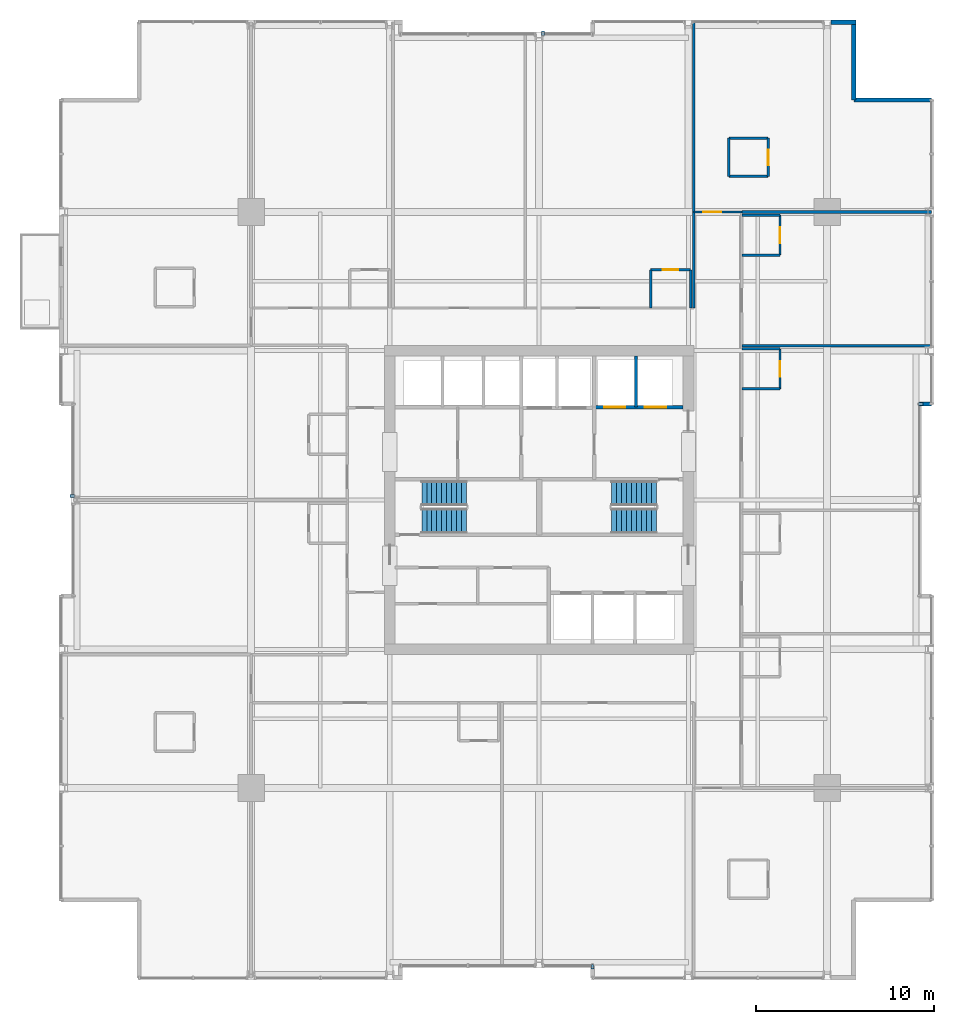
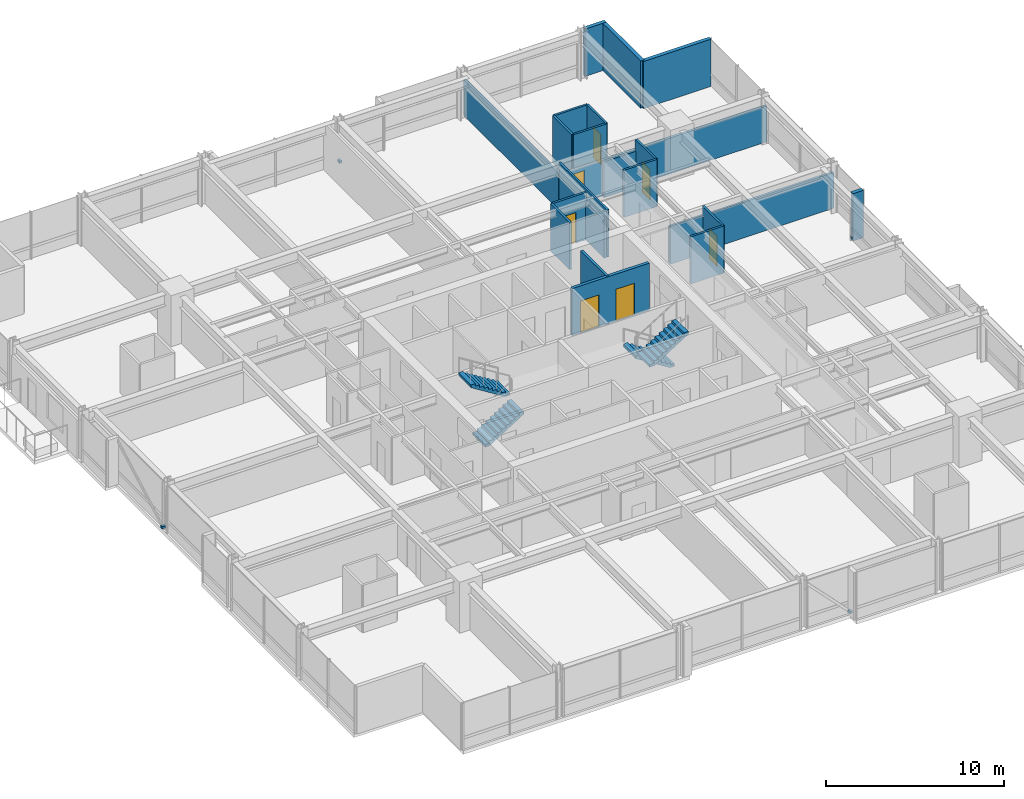
# One storey, part 31 of 34: 24 walls, 7 doors, 4 discrete accessories, 4 stair flights, 7 openings, 2 elements without a shape of their own.
"""IFC4 building model written with IfcOpenShell, lengths in metres."""

from ifc_helpers import new_model, si_unit, direction, frame, frame_2d, origin, origin_2d, place, context, subcontext, project, spatial, polyline, rectangle, outline, extrude, material, layer, layer_set, type_object, element, fill, aggregate, save


model = new_model("IFC4")

# Units and contexts
model_context = context("Model", 3, precision=1e-05, world=origin(), true_north=direction((0.0, 1.0)))
body_context = subcontext(model_context, "Body", "Model", "MODEL_VIEW")
ifc_project = project(units=[si_unit("LENGTHUNIT", "METRE"), si_unit("AREAUNIT", "SQUARE_METRE"), si_unit("VOLUMEUNIT", "CUBIC_METRE"), si_unit("PLANEANGLEUNIT", "RADIAN"), si_unit("MASSUNIT", "GRAM", prefix="KILO")], contexts=[model_context])

# Site, building, storey
site_placement = place(None, origin())
site = spatial("IfcSite", under=ifc_project, at=site_placement, CompositionType="ELEMENT")
building_placement = place(site_placement, origin())
building = spatial("IfcBuilding", under=site, at=building_placement, Name="Drelvath Grand Hotel", CompositionType="ELEMENT")
storey_placement = place(building_placement, frame((0.0, 0.0, 102.300048828125)))
storey = spatial("IfcBuildingStorey", under=building, at=storey_placement, Name="L25", CompositionType="ELEMENT", Elevation=102.300048828125)

# Wall, openings, doors
ifc_material_1 = material(Name="Concrete C40/50", Category="concrete")
ifc_layer_1 = layer(ifc_material_1, 0.199951171875)
ifc_layer_set_1 = layer_set([ifc_layer_1], Name="Concrete C40/50")
wall_type_1 = type_object("IfcWallType", Name="Core Hoistway Fire Wall 200", PredefinedType="SOLIDWALL", material=ifc_layer_set_1)
wall_1_placement = place(storey_placement, frame((3.10009765625, 32.219970703125, 0.0), z_axis=(0.0, 0.0, 1.0), x_axis=(1.0, 0.0, 0.0)))
wall_1 = element("IfcWall", 1, at=wall_1_placement, inside=storey, type_object=wall_type_1, Name="L25 FSAE Hoistway Front Wall", PredefinedType="SOLIDWALL", context=body_context, shape_type="SweptSolid", body=[
    extrude(rectangle(XDim=5.0, YDim=0.199951171875, at=frame_2d((2.5, 0.0))), origin(), (0.0, 0.0, 1.0), 3.239990234375),
])
opening_1_placement = place(wall_1_placement, frame((0.550048828125, 0.0, 0.0)))
opening_1 = element("IfcOpeningElement", 2, at=opening_1_placement, cuts=wall_1, Name="Opening LD-FSAE-1", PredefinedType="OPENING", context=body_context, shape_type="SweptSolid", body=[
    extrude(rectangle(XDim=1.199951171875, YDim=2.199951171875, at=frame_2d((0.60009765625, 1.10009765625))), frame((0.0, 0.10986328125, 0.0), z_axis=(0.0, -1.0, 0.0), x_axis=(1.0, 0.0, 0.0)), (0.0, 0.0, 1.0), 0.219970703125),
])
opening_2_placement = place(wall_1_placement, frame((2.85009765625, 0.0, 0.0)))
opening_2 = element("IfcOpeningElement", 3, at=opening_2_placement, cuts=wall_1, Name="Opening LD-FSAE-2", PredefinedType="OPENING", context=body_context, shape_type="SweptSolid", body=[
    extrude(rectangle(XDim=1.199951171875, YDim=2.199951171875, at=frame_2d((0.60009765625, 1.10009765625))), frame((0.0, 0.10986328125, 0.0), z_axis=(0.0, -1.0, 0.0), x_axis=(1.0, 0.0, 0.0)), (0.0, 0.0, 1.0), 0.219970703125),
])
ifc_material_2 = material(Name="Stainless Steel S355", Category="steel")
door_type_1 = type_object("IfcDoorType", Name="FSAE Lift Sliding Landing Door 1200x2200", OperationType="NOTDEFINED", PredefinedType="DOOR", material=ifc_material_2)
door_1_placement = place(opening_1_placement, origin())
door_1 = element("IfcDoor", 4, at=door_1_placement, inside=storey, type_object=door_type_1, Name="L25 Lift FSAE-1 Landing Door", OperationType="SLIDING_TO_LEFT", OverallHeight=2.199951171875, OverallWidth=1.199951171875, PredefinedType="DOOR", context=body_context, shape_type="SweptSolid", body=[
    extrude(rectangle(XDim=1.199951171875, YDim=2.199951171875, at=frame_2d((0.60009765625, 1.10009765625))), frame((0.0, 0.02490234375, 0.0), z_axis=(0.0, -1.0, 0.0), x_axis=(1.0, 0.0, 0.0)), (0.0, 0.0, 1.0), 0.050048828125),
])
fill(opening_1, door_1)
door_2_placement = place(opening_2_placement, origin())
door_2 = element("IfcDoor", 5, at=door_2_placement, inside=storey, type_object=door_type_1, Name="L25 Lift FSAE-2 Landing Door", OperationType="SLIDING_TO_LEFT", OverallHeight=2.199951171875, OverallWidth=1.199951171875, PredefinedType="DOOR", context=body_context, shape_type="SweptSolid", body=[
    extrude(rectangle(XDim=1.199951171875, YDim=2.199951171875, at=frame_2d((0.60009765625, 1.10009765625))), frame((0.0, 0.02490234375, 0.0), z_axis=(0.0, -1.0, 0.0), x_axis=(1.0, 0.0, 0.0)), (0.0, 0.0, 1.0), 0.050048828125),
])
fill(opening_2, door_2)

# Walls
ifc_material_3 = material(Name="Gypsum Fireboard Partition")
ifc_layer_2 = layer(ifc_material_3, 0.1650390625)
ifc_layer_set_2 = layer_set([ifc_layer_2], Name="Gypsum Fireboard Partition")
wall_type_2 = type_object("IfcWallType", Name="Core Shaft Partition 165", PredefinedType="PARTITIONING", material=ifc_layer_set_2)
wall_2_placement = place(storey_placement, frame((5.449951171875, 32.219970703125, 0.0), z_axis=(0.0, 0.0, 1.0), x_axis=(0.0, 1.0, 0.0)))
element("IfcWall", 6, at=wall_2_placement, inside=storey, type_object=wall_type_2, Name="L25 FSAE Hoistway Divider", PredefinedType="PARTITIONING", context=body_context, shape_type="SweptSolid", body=[
    extrude(rectangle(XDim=2.880126953125, YDim=0.1650390625, at=frame_2d((1.43994140625, 0.0))), origin(), (0.0, 0.0, 1.0), 3.239990234375),
])
ifc_layer_3 = layer(ifc_material_3, 0.135009765625)
ifc_layer_set_3 = layer_set([ifc_layer_3], Name="Gypsum Fireboard Partition")
wall_type_3 = type_object("IfcWallType", Name="Corridor Fire Barrier Wall 135", PredefinedType="PARTITIONING", material=ifc_layer_set_3)
wall_3_placement = place(storey_placement, frame((8.699951171875, 37.800048828125, 0.0), z_axis=(0.0, 0.0, 1.0), x_axis=(0.0, 1.0, 0.0)))
element("IfcWall", 7, at=wall_3_placement, inside=storey, type_object=wall_type_3, Name="L25 East Spine North Inner Wall", PredefinedType="PARTITIONING", context=body_context, shape_type="SweptSolid", body=[
    extrude(rectangle(XDim=5.39990234375, YDim=0.135009765625, at=frame_2d((2.699951171875, 0.0))), origin(), (0.0, 0.0, 1.0), 3.239990234375),
])

# Wall, opening, door
wall_4_placement = place(storey_placement, frame((8.699951171875, 43.199951171875, 0.0), z_axis=(0.0, 0.0, 1.0), x_axis=(1.0, 0.0, 0.0)))
wall_4 = element("IfcWall", 8, at=wall_4_placement, inside=storey, type_object=wall_type_3, Name="L25 East Spine North End", PredefinedType="PARTITIONING", context=body_context, shape_type="SweptSolid", body=[
    extrude(rectangle(XDim=2.699951171875, YDim=0.135009765625, at=frame_2d((1.35009765625, 0.0))), origin(), (0.0, 0.0, 1.0), 2.45166015625),
])
opening_3_placement = place(wall_4_placement, frame((0.52001953125, 0.0, 0.0)))
opening_3 = element("IfcOpeningElement", 9, at=opening_3_placement, cuts=wall_4, Name="Opening D-T2G2-028", PredefinedType="OPENING", context=body_context, shape_type="SweptSolid", body=[
    extrude(rectangle(XDim=1.02001953125, YDim=2.14990234375, at=frame_2d((0.510009765625, 1.074951171875))), frame((0.0, 0.077392578125, 0.0), z_axis=(0.0, -1.0, 0.0), x_axis=(1.0, 0.0, 0.0)), (0.0, 0.0, 1.0), 0.155029296875),
])
ifc_material_4 = material(Name="Hardwood Walnut Timber", Category="wood")
door_type_2 = type_object("IfcDoorType", Name="Amenity Meeting Fire Door 1020x2150", OperationType="NOTDEFINED", PredefinedType="DOOR", material=ifc_material_4)
door_3_placement = place(opening_3_placement, origin())
door_3 = element("IfcDoor", 10, at=door_3_placement, inside=storey, type_object=door_type_2, Name="L25 Corner Suite Entry Door", OperationType="SINGLE_SWING_LEFT", OverallHeight=2.14990234375, OverallWidth=1.02001953125, PredefinedType="DOOR", context=body_context, shape_type="SweptSolid", body=[
    extrude(rectangle(XDim=1.02001953125, YDim=2.14990234375, at=frame_2d((0.510009765625, 1.074951171875))), frame((0.0, 0.02490234375, 0.0), z_axis=(0.0, -1.0, 0.0), x_axis=(1.0, 0.0, 0.0)), (0.0, 0.0, 1.0), 0.050048828125),
])
fill(opening_3, door_3)

# Walls
ifc_material_5 = material(Name="Moisture-Resistant Gypsum Board")
ifc_layer_4 = layer(ifc_material_5, 0.139892578125)
ifc_layer_set_4 = layer_set([ifc_layer_4], Name="Moisture-Resistant Gypsum Board")
wall_type_4 = type_object("IfcWallType", Name="En-Suite Plumbing Wall 140", PredefinedType="PLUMBINGWALL", material=ifc_layer_set_4)
for number, where, z_axis, x_axis, name in (
    (11, (10.679931640625, 45.199951171875, 0.0), (0.0, 0.0, 1.0), (1.0, 0.0, 0.0), "L25 Corner En-Suite South"),
    (12, (10.679931640625, 47.35009765625, 0.0), (0.0, 0.0, 1.0), (1.0, 0.0, 0.0), "L25 Corner En-Suite North"),
):
    element("IfcWall", number, at=place(storey_placement, frame(where, z_axis=z_axis, x_axis=x_axis)), inside=storey, type_object=wall_type_4, Name=name, PredefinedType="PLUMBINGWALL", context=body_context, shape_type="SweptSolid", body=[
        extrude(rectangle(XDim=2.199951171875, YDim=0.139892578125, at=frame_2d((1.10009765625, 0.0))), origin(), (0.0, 0.0, 1.0), 3.239990234375),
    ])
wall_5_placement = place(storey_placement, frame((10.679931640625, 45.199951171875, 0.0), z_axis=(0.0, 0.0, 1.0), x_axis=(0.0, 1.0, 0.0)))
element("IfcWall", 13, at=wall_5_placement, inside=storey, type_object=wall_type_4, Name="L25 Corner En-Suite West", PredefinedType="PLUMBINGWALL", context=body_context, shape_type="SweptSolid", body=[
    extrude(rectangle(XDim=2.150146484375, YDim=0.139892578125, at=frame_2d((1.0751953125, 0.0))), origin(), (0.0, 0.0, 1.0), 3.239990234375),
])

# Wall, opening, door
wall_6_placement = place(storey_placement, frame((12.8798828125, 45.199951171875, 0.0), z_axis=(0.0, 0.0, 1.0), x_axis=(0.0, 1.0, 0.0)))
wall_6 = element("IfcWall", 14, at=wall_6_placement, inside=storey, type_object=wall_type_4, Name="L25 Corner En-Suite East", PredefinedType="PLUMBINGWALL", context=body_context, shape_type="SweptSolid", body=[
    extrude(rectangle(XDim=2.150146484375, YDim=0.139892578125, at=frame_2d((1.0751953125, 0.0))), origin(), (0.0, 0.0, 1.0), 3.239990234375),
])
opening_4_placement = place(wall_6_placement, frame((0.6201171875, 0.0, 0.0)))
opening_4 = element("IfcOpeningElement", 15, at=opening_4_placement, cuts=wall_6, Name="Opening D-T2G2-027", PredefinedType="OPENING", context=body_context, shape_type="SweptSolid", body=[
    extrude(rectangle(XDim=0.8798828125, YDim=2.10009765625, at=frame_2d((0.43994140625, 1.050048828125))), frame((0.0, 0.079833984375, 0.0), z_axis=(0.0, -1.0, 0.0), x_axis=(1.0, 0.0, 0.0)), (0.0, 0.0, 1.0), 0.159912109375),
])
door_type_3 = type_object("IfcDoorType", Name="En-Suite Bathroom Door 880x2100", OperationType="NOTDEFINED", PredefinedType="DOOR", material=ifc_material_4)
door_4_placement = place(opening_4_placement, origin())
door_4 = element("IfcDoor", 16, at=door_4_placement, inside=storey, type_object=door_type_3, Name="L25 Corner En-Suite Door", OperationType="SINGLE_SWING_RIGHT", OverallHeight=2.10009765625, OverallWidth=0.8798828125, PredefinedType="DOOR", context=body_context, shape_type="SweptSolid", body=[
    extrude(rectangle(XDim=0.8798828125, YDim=2.10009765625, at=frame_2d((0.43994140625, 1.050048828125))), frame((0.0, 0.02490234375, 0.0), z_axis=(0.0, -1.0, 0.0), x_axis=(1.0, 0.0, 0.0)), (0.0, 0.0, 1.0), 0.050048828125),
])
fill(opening_4, door_4)

# Walls
wall_7_placement = place(storey_placement, frame((6.27001953125, 37.800048828125, 0.0), z_axis=(0.0, 0.0, 1.0), x_axis=(0.0, 1.0, 0.0)))
element("IfcWall", 17, at=wall_7_placement, inside=storey, type_object=wall_type_4, Name="L25 En-Suite Left Wall", PredefinedType="PLUMBINGWALL", context=body_context, shape_type="SweptSolid", body=[
    extrude(rectangle(XDim=2.14990234375, YDim=0.139892578125, at=frame_2d((1.074951171875, 0.0))), origin(), (0.0, 0.0, 1.0), 3.239990234375),
])
wall_8_placement = place(storey_placement, frame((8.52001953125, 37.800048828125, 0.0), z_axis=(0.0, 0.0, 1.0), x_axis=(0.0, 1.0, 0.0)))
element("IfcWall", 18, at=wall_8_placement, inside=storey, type_object=wall_type_4, Name="L25 En-Suite Right Wall", PredefinedType="PLUMBINGWALL", context=body_context, shape_type="SweptSolid", body=[
    extrude(rectangle(XDim=2.14990234375, YDim=0.139892578125, at=frame_2d((1.074951171875, 0.0))), origin(), (0.0, 0.0, 1.0), 2.617431640625),
])

# Wall, opening, door
wall_9_placement = place(storey_placement, frame((6.27001953125, 39.949951171875, 0.0), z_axis=(0.0, 0.0, 1.0), x_axis=(1.0, 0.0, 0.0)))
wall_9 = element("IfcWall", 19, at=wall_9_placement, inside=storey, type_object=wall_type_4, Name="L25 En-Suite Front Wall", PredefinedType="PLUMBINGWALL", context=body_context, shape_type="SweptSolid", body=[
    extrude(rectangle(XDim=2.25, YDim=0.139892578125, at=frame_2d((1.125, 0.0))), origin(), (0.0, 0.0, 1.0), 3.239990234375),
])
opening_5_placement = place(wall_9_placement, frame((0.68505859375, 0.0, 0.0)))
opening_5 = element("IfcOpeningElement", 20, at=opening_5_placement, cuts=wall_9, Name="Opening D-T2G2-035", PredefinedType="OPENING", context=body_context, shape_type="SweptSolid", body=[
    extrude(rectangle(XDim=0.8798828125, YDim=2.10009765625, at=frame_2d((0.43994140625, 1.050048828125))), frame((0.0, 0.079833984375, 0.0), z_axis=(0.0, -1.0, 0.0), x_axis=(1.0, 0.0, 0.0)), (0.0, 0.0, 1.0), 0.159912109375),
])
door_5_placement = place(opening_5_placement, origin())
door_5 = element("IfcDoor", 21, at=door_5_placement, inside=storey, type_object=door_type_3, Name="L25 En-Suite Bathroom Door", OperationType="SINGLE_SWING_RIGHT", OverallHeight=2.10009765625, OverallWidth=0.8798828125, PredefinedType="DOOR", context=body_context, shape_type="SweptSolid", body=[
    extrude(rectangle(XDim=0.8798828125, YDim=2.10009765625, at=frame_2d((0.43994140625, 1.050048828125))), frame((0.0, 0.02490234375, 0.0), z_axis=(0.0, -1.0, 0.0), x_axis=(1.0, 0.0, 0.0)), (0.0, 0.0, 1.0), 0.050048828125),
])
fill(opening_5, door_5)

# Walls
wall_10_placement = place(storey_placement, frame((11.39990234375, 33.24853515625, 0.0), z_axis=(0.0, 0.0, 1.0), x_axis=(1.0, 0.0, 0.0)))
element("IfcWall", 22, at=wall_10_placement, inside=storey, type_object=wall_type_4, Name="L25 En-Suite Left Wall", PredefinedType="PLUMBINGWALL", context=body_context, shape_type="SweptSolid", body=[
    extrude(rectangle(XDim=2.150146484375, YDim=0.139892578125, at=frame_2d((1.0751953125, 0.0))), origin(), (0.0, 0.0, 1.0), 3.239990234375),
])
wall_11_placement = place(storey_placement, frame((11.39990234375, 35.49853515625, 0.0), z_axis=(0.0, 0.0, 1.0), x_axis=(1.0, 0.0, 0.0)))
element("IfcWall", 23, at=wall_11_placement, inside=storey, type_object=wall_type_4, Name="L25 En-Suite Right Wall", PredefinedType="PLUMBINGWALL", context=body_context, shape_type="SweptSolid", body=[
    extrude(rectangle(XDim=2.150146484375, YDim=0.139892578125, at=frame_2d((1.0751953125, 0.0))), origin(), (0.0, 0.0, 1.0), 2.617431640625),
])

# Wall, opening, door
wall_12_placement = place(storey_placement, frame((13.550048828125, 33.24853515625, 0.0), z_axis=(0.0, 0.0, 1.0), x_axis=(0.0, 1.0, 0.0)))
wall_12 = element("IfcWall", 24, at=wall_12_placement, inside=storey, type_object=wall_type_4, Name="L25 En-Suite Front Wall", PredefinedType="PLUMBINGWALL", context=body_context, shape_type="SweptSolid", body=[
    extrude(rectangle(XDim=2.25, YDim=0.139892578125, at=frame_2d((1.125, 0.0))), origin(), (0.0, 0.0, 1.0), 3.239990234375),
])
opening_6_placement = place(wall_12_placement, frame((0.68505859375, 0.0, 0.0)))
opening_6 = element("IfcOpeningElement", 25, at=opening_6_placement, cuts=wall_12, Name="Opening D-T2G2-041", PredefinedType="OPENING", context=body_context, shape_type="SweptSolid", body=[
    extrude(rectangle(XDim=0.8798828125, YDim=2.10009765625, at=frame_2d((0.43994140625, 1.050048828125))), frame((0.0, 0.079833984375, 0.0), z_axis=(0.0, -1.0, 0.0), x_axis=(1.0, 0.0, 0.0)), (0.0, 0.0, 1.0), 0.159912109375),
])
door_6_placement = place(opening_6_placement, origin())
door_6 = element("IfcDoor", 26, at=door_6_placement, inside=storey, type_object=door_type_3, Name="L25 En-Suite Bathroom Door", OperationType="SINGLE_SWING_RIGHT", OverallHeight=2.10009765625, OverallWidth=0.8798828125, PredefinedType="DOOR", context=body_context, shape_type="SweptSolid", body=[
    extrude(rectangle(XDim=0.8798828125, YDim=2.10009765625, at=frame_2d((0.43994140625, 1.050048828125))), frame((0.0, 0.02490234375, 0.0), z_axis=(0.0, -1.0, 0.0), x_axis=(1.0, 0.0, 0.0)), (0.0, 0.0, 1.0), 0.050048828125),
])
fill(opening_6, door_6)

# Walls
wall_13_placement = place(storey_placement, frame((11.39990234375, 40.77001953125, 0.0), z_axis=(0.0, 0.0, 1.0), x_axis=(1.0, 0.0, 0.0)))
element("IfcWall", 27, at=wall_13_placement, inside=storey, type_object=wall_type_4, Name="L25 En-Suite Left Wall", PredefinedType="PLUMBINGWALL", context=body_context, shape_type="SweptSolid", body=[
    extrude(rectangle(XDim=2.150146484375, YDim=0.139892578125, at=frame_2d((1.0751953125, 0.0))), origin(), (0.0, 0.0, 1.0), 3.239990234375),
])
wall_14_placement = place(storey_placement, frame((11.39990234375, 43.02001953125, 0.0), z_axis=(0.0, 0.0, 1.0), x_axis=(1.0, 0.0, 0.0)))
element("IfcWall", 28, at=wall_14_placement, inside=storey, type_object=wall_type_4, Name="L25 En-Suite Right Wall", PredefinedType="PLUMBINGWALL", context=body_context, shape_type="SweptSolid", body=[
    extrude(rectangle(XDim=2.150146484375, YDim=0.139892578125, at=frame_2d((1.0751953125, 0.0))), origin(), (0.0, 0.0, 1.0), 2.45166015625),
])

# Wall, opening, door
wall_15_placement = place(storey_placement, frame((13.550048828125, 40.77001953125, 0.0), z_axis=(0.0, 0.0, 1.0), x_axis=(0.0, 1.0, 0.0)))
wall_15 = element("IfcWall", 29, at=wall_15_placement, inside=storey, type_object=wall_type_4, Name="L25 En-Suite Front Wall", PredefinedType="PLUMBINGWALL", context=body_context, shape_type="SweptSolid", body=[
    extrude(rectangle(XDim=2.25, YDim=0.139892578125, at=frame_2d((1.125, 0.0))), origin(), (0.0, 0.0, 1.0), 3.239990234375),
])
opening_7_placement = place(wall_15_placement, frame((0.68505859375, 0.0, 0.0)))
opening_7 = element("IfcOpeningElement", 30, at=opening_7_placement, cuts=wall_15, Name="Opening D-T2G2-043", PredefinedType="OPENING", context=body_context, shape_type="SweptSolid", body=[
    extrude(rectangle(XDim=0.8798828125, YDim=2.10009765625, at=frame_2d((0.43994140625, 1.050048828125))), frame((0.0, 0.079833984375, 0.0), z_axis=(0.0, -1.0, 0.0), x_axis=(1.0, 0.0, 0.0)), (0.0, 0.0, 1.0), 0.159912109375),
])
door_7_placement = place(opening_7_placement, origin())
door_7 = element("IfcDoor", 31, at=door_7_placement, inside=storey, type_object=door_type_3, Name="L25 En-Suite Bathroom Door", OperationType="SINGLE_SWING_RIGHT", OverallHeight=2.10009765625, OverallWidth=0.8798828125, PredefinedType="DOOR", context=body_context, shape_type="SweptSolid", body=[
    extrude(rectangle(XDim=0.8798828125, YDim=2.10009765625, at=frame_2d((0.43994140625, 1.050048828125))), frame((0.0, 0.02490234375, 0.0), z_axis=(0.0, -1.0, 0.0), x_axis=(1.0, 0.0, 0.0)), (0.0, 0.0, 1.0), 0.050048828125),
])
fill(opening_7, door_7)

# Walls
ifc_material_6 = material(Name="Gypsum Acoustic Partition")
ifc_layer_5 = layer(ifc_material_6, 0.14990234375)
ifc_layer_set_5 = layer_set([ifc_layer_5], Name="Gypsum Acoustic Partition")
wall_type_5 = type_object("IfcWallType", Name="Guestroom Demising Wall 150", PredefinedType="PARTITIONING", material=ifc_layer_set_5)
wall_16_placement = place(storey_placement, frame((11.39990234375, 35.6787109375, 0.0), z_axis=(0.0, 0.0, 1.0), x_axis=(1.0, 0.0, 0.0)))
element("IfcWall", 32, at=wall_16_placement, inside=storey, type_object=wall_type_5, Name="L25 East Demising 3", PredefinedType="PARTITIONING", context=body_context, shape_type="SweptSolid", body=[
    extrude(rectangle(XDim=10.68017578125, YDim=0.14990234375, at=frame_2d((5.340087890625, 0.0))), origin(), (0.0, 0.0, 1.0), 2.45166015625),
])
ifc_layer_6 = layer(ifc_material_6, 0.1650390625)
ifc_layer_set_6 = layer_set([ifc_layer_6], Name="Gypsum Acoustic Partition")
wall_type_6 = type_object("IfcWallType", Name="Suite Demising Wall 165", PredefinedType="PARTITIONING", material=ifc_layer_set_6)
wall_17_placement = place(storey_placement, frame((8.699951171875, 43.199951171875, 0.0), z_axis=(0.0, 0.0, 1.0), x_axis=(0.0, 1.0, 0.0)))
element("IfcWall", 33, at=wall_17_placement, inside=storey, type_object=wall_type_6, Name="L25 NE Suite West Wall", PredefinedType="PARTITIONING", context=body_context, shape_type="SweptSolid", body=[
    extrude(rectangle(XDim=10.679931640625, YDim=0.1650390625, at=frame_2d((5.33984375, 0.0))), origin(), (0.0, 0.0, 1.0), 2.45166015625),
])
wall_18_placement = place(storey_placement, frame((11.39990234375, 43.199951171875, 0.0), z_axis=(0.0, 0.0, 1.0), x_axis=(1.0, 0.0, 0.0)))
element("IfcWall", 34, at=wall_18_placement, inside=storey, type_object=wall_type_6, Name="L25 NE Suite South Wall", PredefinedType="PARTITIONING", context=body_context, shape_type="SweptSolid", body=[
    extrude(rectangle(XDim=10.68017578125, YDim=0.1650390625, at=frame_2d((5.340087890625, 0.0))), origin(), (0.0, 0.0, 1.0), 2.45166015625),
])
ifc_material_7 = material(Name="Pale-Metal Insulated Aluminium Spandrel Assembly", Category="aluminium")
ifc_layer_7 = layer(ifc_material_7, 0.239990234375)
ifc_layer_set_7 = layer_set([ifc_layer_7], Name="Pale-Metal Insulated Aluminium Spandrel Assembly")
wall_type_7 = type_object("IfcWallType", Name="Tower Insulated Metal Spandrel Closure Wall 240", PredefinedType="STANDARD", material=ifc_layer_set_7)
wall_19_placement = place(storey_placement, frame((16.419677734375, 53.8798828125, 0.0), z_axis=(0.0, 0.0, 1.0), x_axis=(1.0, 0.0, 0.0)))
element("IfcWall", 35, at=wall_19_placement, inside=storey, type_object=wall_type_7, Name="L25 Corner Pier Spandrel Wall NE3", PredefinedType="STANDARD", context=body_context, shape_type="SweptSolid", body=[
    extrude(rectangle(XDim=1.400390625, YDim=0.239990234375, at=frame_2d((0.7001953125, 0.0))), origin(), (0.0, 0.0, 1.0), 3.239990234375),
])
wall_20_placement = place(storey_placement, frame((17.699951171875, 53.760009765625, 0.0), z_axis=(0.0, 0.0, 1.0), x_axis=(0.0, -1.0, 0.0)))
element("IfcWall", 36, at=wall_20_placement, inside=storey, type_object=wall_type_7, Name="L25 Notched Corner Return Spandrel Wall CNE1", PredefinedType="STANDARD", context=body_context, shape_type="SweptSolid", body=[
    extrude(rectangle(XDim=4.260009765625, YDim=0.239990234375, at=frame_2d((2.1298828125, 0.0))), origin(), (0.0, 0.0, 1.0), 3.239990234375),
])
wall_21_placement = place(storey_placement, frame((17.699951171875, 49.5, 0.0), z_axis=(0.0, 0.0, 1.0), x_axis=(1.0, 0.0, 0.0)))
element("IfcWall", 37, at=wall_21_placement, inside=storey, type_object=wall_type_7, Name="L25 Notched Corner Return Spandrel Wall CNE2", PredefinedType="STANDARD", context=body_context, shape_type="SweptSolid", body=[
    extrude(rectangle(XDim=4.380126953125, YDim=0.239990234375, at=frame_2d((2.18994140625, 0.0))), origin(), (0.0, 0.0, 1.0), 3.239990234375),
])
wall_22_placement = place(storey_placement, frame((22.080078125, 32.39990234375, 0.0), z_axis=(0.0, 0.0, 1.0), x_axis=(-1.0, 0.0, 0.0)))
element("IfcWall", 38, at=wall_22_placement, inside=storey, type_object=wall_type_7, Name="L25 Notched Corner Return Spandrel Wall RE1", PredefinedType="STANDARD", context=body_context, shape_type="SweptSolid", body=[
    extrude(rectangle(XDim=0.68017578125, YDim=0.239990234375, at=frame_2d((0.340087890625, 0.0))), origin(), (0.0, 0.0, 1.0), 3.239990234375),
])

# Stair, stair flights
stair_type = type_object("IfcStairType", Name="Dogleg Exit Stair W1400-R175.0", PredefinedType="HALF_TURN_STAIR", material=ifc_material_1)
stair_1_placement = place(storey_placement, origin())
stair_1 = element("IfcStair", 39, at=stair_1_placement, inside=storey, type_object=stair_type, Name="L25 Core Exit Stair ST-1", PredefinedType="HALF_TURN_STAIR")
stair_flight_type = type_object("IfcStairFlightType", Name="Concrete Stair Flight W1400-R175.0", PredefinedType="STRAIGHT", material=ifc_material_1)
stair_flight_1_placement = place(storey_placement, frame((-6.60009765625, 25.820068359375, 0.0), z_axis=(0.0, 0.0, 1.0), x_axis=(1.0, 0.0, 0.0)))
stair_flight_1 = element("IfcStairFlight", 40, at=stair_flight_1_placement, type_object=stair_flight_type, Name="ST-1 flight 1", NumberOfRisers=10, NumberOfTreads=9, PredefinedType="STRAIGHT", RiserHeight=0.175, TreadLength=0.28, context=body_context, shape_type="SweptSolid", body=[
    extrude(outline(polyline([(0.0, 0.0), (0.0, 0.175048828125), (0.280029296875, 0.175048828125), (0.280029296875, 0.35009765625), (0.56005859375, 0.35009765625), (0.56005859375, 0.52490234375), (0.840087890625, 0.52490234375), (0.840087890625, 0.699951171875), (1.1201171875, 0.699951171875), (1.1201171875, 0.875), (1.39990234375, 0.875), (1.39990234375, 1.050048828125), (1.679931640625, 1.050048828125), (1.679931640625, 1.22509765625), (1.9599609375, 1.22509765625), (1.9599609375, 1.39990234375), (2.239990234375, 1.39990234375), (2.239990234375, 1.574951171875), (2.52001953125, 1.574951171875), (2.52001953125, 1.75), (2.52001953125, 1.386474609375), (0.3017578125, 0.0), (0.0, 0.0)])), frame((0.0, 0.699951171875, 0.0), z_axis=(0.0, -1.0, 0.0), x_axis=(1.0, 0.0, 0.0)), (0.0, 0.0, 1.0), 1.39990234375),
])
stair_flight_2_placement = place(storey_placement, frame((-4.080078125, 27.3798828125, 1.75), z_axis=(0.0, 0.0, 1.0), x_axis=(-1.0, 0.0, 0.0)))
stair_flight_2 = element("IfcStairFlight", 41, at=stair_flight_2_placement, type_object=stair_flight_type, Name="ST-1 flight 2", NumberOfRisers=10, NumberOfTreads=9, PredefinedType="STRAIGHT", RiserHeight=0.175, TreadLength=0.28, context=body_context, shape_type="SweptSolid", body=[
    extrude(outline(polyline([(0.0, 0.0), (0.0, 0.175048828125), (0.280029296875, 0.175048828125), (0.280029296875, 0.35009765625), (0.56005859375, 0.35009765625), (0.56005859375, 0.52490234375), (0.840087890625, 0.52490234375), (0.840087890625, 0.699951171875), (1.1201171875, 0.699951171875), (1.1201171875, 0.875), (1.39990234375, 0.875), (1.39990234375, 1.050048828125), (1.679931640625, 1.050048828125), (1.679931640625, 1.22509765625), (1.9599609375, 1.22509765625), (1.9599609375, 1.39990234375), (2.239990234375, 1.39990234375), (2.239990234375, 1.574951171875), (2.52001953125, 1.574951171875), (2.52001953125, 1.75), (2.52001953125, 1.386474609375), (0.3017578125, 0.0), (0.0, 0.0)])), frame((0.0, 0.699951171875, 0.0), z_axis=(0.0, -1.0, 0.0), x_axis=(1.0, 0.0, 0.0)), (0.0, 0.0, 1.0), 1.39990234375),
])
aggregate(stair_1, [stair_flight_1, stair_flight_2])

stair_2_placement = place(storey_placement, origin())
stair_2 = element("IfcStair", 42, at=stair_2_placement, inside=storey, type_object=stair_type, Name="L25 Core Exit Stair ST-2", PredefinedType="HALF_TURN_STAIR")
stair_flight_3_placement = place(storey_placement, frame((6.60009765625, 27.3798828125, 0.0), z_axis=(0.0, 0.0, 1.0), x_axis=(-1.0, 0.0, 0.0)))
stair_flight_3 = element("IfcStairFlight", 43, at=stair_flight_3_placement, type_object=stair_flight_type, Name="ST-2 flight 1", NumberOfRisers=10, NumberOfTreads=9, PredefinedType="STRAIGHT", RiserHeight=0.175, TreadLength=0.28, context=body_context, shape_type="SweptSolid", body=[
    extrude(outline(polyline([(0.0, 0.0), (0.0, 0.175048828125), (0.280029296875, 0.175048828125), (0.280029296875, 0.35009765625), (0.56005859375, 0.35009765625), (0.56005859375, 0.52490234375), (0.840087890625, 0.52490234375), (0.840087890625, 0.699951171875), (1.1201171875, 0.699951171875), (1.1201171875, 0.875), (1.39990234375, 0.875), (1.39990234375, 1.050048828125), (1.679931640625, 1.050048828125), (1.679931640625, 1.22509765625), (1.9599609375, 1.22509765625), (1.9599609375, 1.39990234375), (2.239990234375, 1.39990234375), (2.239990234375, 1.574951171875), (2.52001953125, 1.574951171875), (2.52001953125, 1.75), (2.52001953125, 1.386474609375), (0.3017578125, 0.0), (0.0, 0.0)])), frame((0.0, 0.699951171875, 0.0), z_axis=(0.0, -1.0, 0.0), x_axis=(1.0, 0.0, 0.0)), (0.0, 0.0, 1.0), 1.39990234375),
])
stair_flight_4_placement = place(storey_placement, frame((4.080078125, 25.820068359375, 1.75), z_axis=(0.0, 0.0, 1.0), x_axis=(1.0, 0.0, 0.0)))
stair_flight_4 = element("IfcStairFlight", 44, at=stair_flight_4_placement, type_object=stair_flight_type, Name="ST-2 flight 2", NumberOfRisers=10, NumberOfTreads=9, PredefinedType="STRAIGHT", RiserHeight=0.175, TreadLength=0.28, context=body_context, shape_type="SweptSolid", body=[
    extrude(outline(polyline([(0.0, 0.0), (0.0, 0.175048828125), (0.280029296875, 0.175048828125), (0.280029296875, 0.35009765625), (0.56005859375, 0.35009765625), (0.56005859375, 0.52490234375), (0.840087890625, 0.52490234375), (0.840087890625, 0.699951171875), (1.1201171875, 0.699951171875), (1.1201171875, 0.875), (1.39990234375, 0.875), (1.39990234375, 1.050048828125), (1.679931640625, 1.050048828125), (1.679931640625, 1.22509765625), (1.9599609375, 1.22509765625), (1.9599609375, 1.39990234375), (2.239990234375, 1.39990234375), (2.239990234375, 1.574951171875), (2.52001953125, 1.574951171875), (2.52001953125, 1.75), (2.52001953125, 1.386474609375), (0.3017578125, 0.0), (0.0, 0.0)])), frame((0.0, 0.699951171875, 0.0), z_axis=(0.0, -1.0, 0.0), x_axis=(1.0, 0.0, 0.0)), (0.0, 0.0, 1.0), 1.39990234375),
])
aggregate(stair_2, [stair_flight_3, stair_flight_4])

# Discrete accessories
ifc_material_8 = material(Name="Stainless Steel Grade 316", Category="steel")
discrete_accessory_type = type_object("IfcDiscreteAccessoryType", Name="Curtain Wall Fin Mounting Bracket Cleat", PredefinedType="BRACKET", material=ifc_material_8)
for number, where, z_axis, x_axis, name in (
    (45, (-26.260009765625, 27.219482421875, 0.10009765625), (0.0, 0.0, 1.0), (0.0, 1.0, 0.0), "L25 Fin Mounting Bracket CW03-L25-WM2-1"),
    (46, (21.4599609375, 32.39990234375, 0.10009765625), (0.0, 0.0, 1.0), (0.0, -1.0, 0.0), "L25 Fin Mounting Bracket CW03-L25-EM2-1"),
    (47, (0.219482421875, 53.260009765625, 0.10009765625), (0.0, 0.0, 1.0), (1.0, 0.0, 0.0), "L25 Fin Mounting Bracket CW03-L25-NM2-1"),
    (48, (3.0, 0.739990234375, 0.10009765625), (0.0, 0.0, 1.0), (-1.0, 0.0, 0.0), "L25 Fin Mounting Bracket CW03-L25-SM2-1"),
):
    element("IfcDiscreteAccessory", number, at=place(storey_placement, frame(where, z_axis=z_axis, x_axis=x_axis)), inside=storey, type_object=discrete_accessory_type, Name=name, PredefinedType="BRACKET", context=body_context, shape_type="SweptSolid", body=[
        extrude(rectangle(XDim=0.159912109375, YDim=0.239990234375, at=origin_2d()), origin(), (0.0, 0.0, 1.0), 0.159912109375),
    ])

save(model, "model.ifc")
